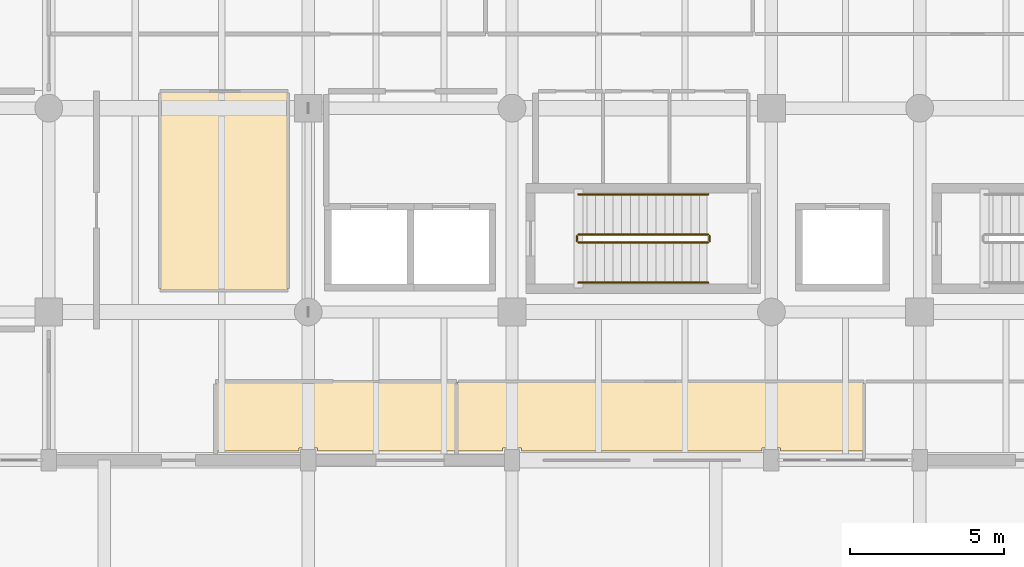
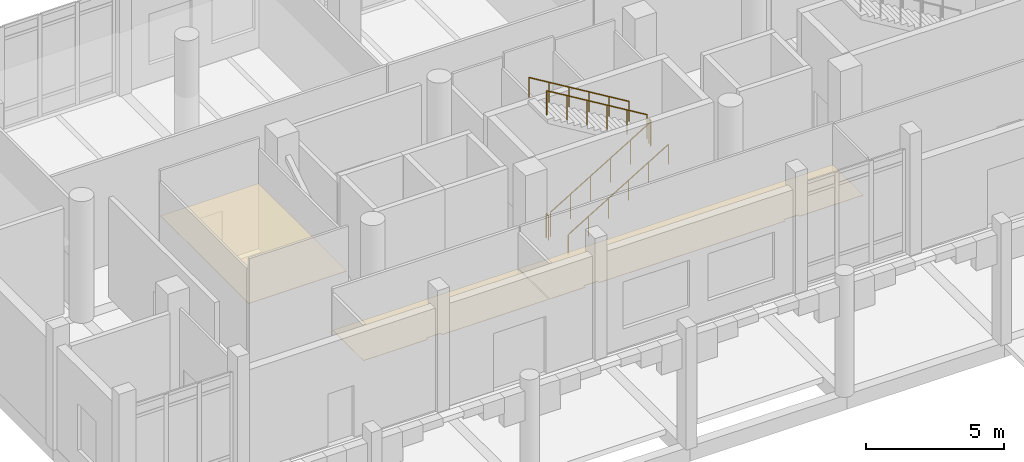
# One storey, part 64 of 72: 6 railings, 3 coverings.
"""IFC4 building model written with IfcOpenShell, lengths in metres."""

from ifc_helpers import new_model, si_unit, direction, frame, origin, origin_2d, place, context, subcontext, project, spatial, polyline, circle, outline, extrude, material, layer, layer_set, type_object, element, save


model = new_model("IFC4")

# Units and contexts
model_context = context("Model", 3, precision=1e-05, world=origin(), true_north=direction((0.0, 1.0)))
body_context = subcontext(model_context, "Body", "Model", "MODEL_VIEW")
ifc_project = project(units=[si_unit("LENGTHUNIT", "METRE"), si_unit("AREAUNIT", "SQUARE_METRE"), si_unit("VOLUMEUNIT", "CUBIC_METRE"), si_unit("PLANEANGLEUNIT", "RADIAN"), si_unit("MASSUNIT", "GRAM", prefix="KILO")], contexts=[model_context])

# Site, building, storey
site_placement = place(None, origin())
site = spatial("IfcSite", under=ifc_project, at=site_placement, CompositionType="ELEMENT")
building_placement = place(site_placement, origin())
building = spatial("IfcBuilding", under=site, at=building_placement, Name="Dornvale Research Institute", CompositionType="ELEMENT")
storey_placement = place(building_placement, origin())
storey = spatial("IfcBuildingStorey", under=building, at=storey_placement, Name="L00", CompositionType="ELEMENT", Elevation=0.0)

# Coverings
ifc_material_1 = material(Name="Mineral-Fibre Acoustic Lay-In Ceiling Tile System")
ifc_layer_1 = layer(ifc_material_1, 0.02001953125)
ifc_layer_set_1 = layer_set([ifc_layer_1], Name="Mineral-Fibre Acoustic Lay-In Ceiling Tile System")
covering_type = type_object("IfcCoveringType", Name="Covering_Acoustic_Ceiling", PredefinedType="CEILING", material=ifc_layer_set_1)
covering_1_placement = place(storey_placement, frame((0.0, 0.0, 2.85009765625)))
element("IfcCovering", 1, at=covering_1_placement, inside=storey, type_object=covering_type, Name="L00 Campus Security and Operations Office suspended ceiling", PredefinedType="CEILING", context=body_context, shape_type="SweptSolid", body=[
    extrude(outline(polyline([(8.419921875, 104.52001953125), (8.419921875, 110.929931640625), (12.530029296875, 110.929931640625), (12.530029296875, 104.52001953125), (8.419921875, 104.52001953125)])), origin(), (0.0, 0.0, 1.0), 0.02001953125),
])
covering_2_placement = place(storey_placement, frame((0.0, 0.0, 2.85009765625)))
element("IfcCovering", 2, at=covering_2_placement, inside=storey, type_object=covering_type, Name="L00 Institute Fellows Reading Room suspended ceiling", PredefinedType="CEILING", context=body_context, shape_type="SweptSolid", body=[
    extrude(outline(polyline([(10.219970703125, 99.300048828125), (10.219970703125, 101.530029296875), (17.97998046875, 101.530029296875), (17.97998046875, 99.300048828125), (13.5, 99.300048828125), (13.5, 99.39990234375), (12.89990234375, 99.39990234375), (12.89990234375, 99.300048828125), (10.219970703125, 99.300048828125)])), origin(), (0.0, 0.0, 1.0), 0.02001953125),
])
covering_3_placement = place(storey_placement, frame((0.0, 0.0, 2.85009765625)))
element("IfcCovering", 3, at=covering_3_placement, inside=storey, type_object=covering_type, Name="L00 Academic Administration Office suspended ceiling", PredefinedType="CEILING", context=body_context, shape_type="SweptSolid", body=[
    extrude(outline(polyline([(18.02001953125, 99.300048828125), (18.02001953125, 101.530029296875), (31.179931640625, 101.530029296875), (31.179931640625, 99.300048828125), (28.5, 99.300048828125), (28.5, 99.39990234375), (27.89990234375, 99.39990234375), (27.89990234375, 99.300048828125), (20.10009765625, 99.300048828125), (20.10009765625, 99.39990234375), (19.5, 99.39990234375), (19.5, 99.300048828125), (18.02001953125, 99.300048828125)])), origin(), (0.0, 0.0, 1.0), 0.02001953125),
])

# Railings
ifc_material_2 = material(Name="Galvanized Painted Tubular Steel Stair Rail", Category="steel")
ifc_layer_2 = layer(ifc_material_2, 0.050048828125)
ifc_layer_set_2 = layer_set([ifc_layer_2], Name="Galvanized Painted Tubular Steel Stair Rail")
railing_type_1 = type_object("IfcRailingType", Name="Railing_Stair_Guard_1100", PredefinedType="GUARDRAIL", material=ifc_layer_set_2)
railing_1_placement = place(storey_placement, frame((21.949951171875, 106.050048828125, 0.168701171875)))
element("IfcRailing", 4, at=railing_1_placement, inside=storey, type_object=railing_type_1, Name="L00 ST-1 stair guard 1", PredefinedType="GUARDRAIL", context=body_context, shape_type="SweptSolid", body=[
    extrude(circle(Radius=0.02392578125, at=origin_2d()), frame((0.0, 0.0, 1.076171875), z_axis=(0.856476492594, 0.0, 0.516186030065), x_axis=(0.0, 1.0, 0.0)), (0.0, 0.0, 1.0), 4.90380859375),
    extrude(circle(Radius=0.02099609375, at=origin_2d()), origin(), (0.0, 0.0, 1.0), 1.052001953125),
    extrude(circle(Radius=0.02099609375, at=origin_2d()), frame((0.840087890625, 0.0, 0.50634765625)), (0.0, 0.0, 1.0), 1.052001953125),
    extrude(circle(Radius=0.02099609375, at=origin_2d()), frame((1.679931640625, 0.0, 1.012451171875)), (0.0, 0.0, 1.0), 1.052001953125),
    extrude(circle(Radius=0.02099609375, at=origin_2d()), frame((2.52001953125, 0.0, 1.518798828125)), (0.0, 0.0, 1.0), 1.052001953125),
    extrude(circle(Radius=0.02099609375, at=origin_2d()), frame((3.35986328125, 0.0, 2.02490234375)), (0.0, 0.0, 1.0), 1.052001953125),
    extrude(circle(Radius=0.02099609375, at=origin_2d()), frame((4.199951171875, 0.0, 2.53125)), (0.0, 0.0, 1.0), 1.052001953125),
])
railing_2_placement = place(storey_placement, frame((26.199951171875, 106.10009765625, 2.699951171875)))
element("IfcRailing", 5, at=railing_2_placement, inside=storey, type_object=railing_type_1, Name="L00 ST-1 stair guard 2", PredefinedType="GUARDRAIL", context=body_context, shape_type="SweptSolid", body=[
    extrude(circle(Radius=0.02392578125, at=origin_2d()), frame((0.0, 0.0, 1.076171875), z_axis=(0.0, 1.0, 0.0), x_axis=(-1.0, 0.0, 0.0)), (0.0, 0.0, 1.0), 0.159912109375),
    extrude(circle(Radius=0.02099609375, at=origin_2d()), origin(), (0.0, 0.0, 1.0), 1.052001953125),
    extrude(circle(Radius=0.02099609375, at=origin_2d()), frame((0.0, 0.159912109375, 0.0)), (0.0, 0.0, 1.0), 1.052001953125),
])
railing_3_placement = place(storey_placement, frame((26.14990234375, 106.31005859375, 2.86865234375)))
element("IfcRailing", 6, at=railing_3_placement, inside=storey, type_object=railing_type_1, Name="L00 ST-1 stair guard 3", PredefinedType="GUARDRAIL", context=body_context, shape_type="SweptSolid", body=[
    extrude(circle(Radius=0.02392578125, at=origin_2d()), frame((0.0, 0.0, 1.076171875), z_axis=(-0.856476492594, 0.0, 0.516186030065), x_axis=(0.0, -1.0, 0.0)), (0.0, 0.0, 1.0), 4.90380859375),
    extrude(circle(Radius=0.02099609375, at=origin_2d()), origin(), (0.0, 0.0, 1.0), 1.052001953125),
    extrude(circle(Radius=0.02099609375, at=origin_2d()), frame((-0.840087890625, 0.0, 0.50634765625)), (0.0, 0.0, 1.0), 1.052001953125),
    extrude(circle(Radius=0.02099609375, at=origin_2d()), frame((-1.679931640625, 0.0, 1.012451171875)), (0.0, 0.0, 1.0), 1.052001953125),
    extrude(circle(Radius=0.02099609375, at=origin_2d()), frame((-2.52001953125, 0.0, 1.518798828125)), (0.0, 0.0, 1.0), 1.052001953125),
    extrude(circle(Radius=0.02099609375, at=origin_2d()), frame((-3.35986328125, 0.0, 2.02490234375)), (0.0, 0.0, 1.0), 1.052001953125),
    extrude(circle(Radius=0.02099609375, at=origin_2d()), frame((-4.199951171875, 0.0, 2.53125)), (0.0, 0.0, 1.0), 1.052001953125),
])
railing_4_placement = place(storey_placement, frame((21.89990234375, 106.10009765625, 0.0)))
element("IfcRailing", 7, at=railing_4_placement, inside=storey, type_object=railing_type_1, Name="L00 ST-1 stair guard 4", PredefinedType="GUARDRAIL", context=body_context, shape_type="SweptSolid", body=[
    extrude(circle(Radius=0.02392578125, at=origin_2d()), frame((0.0, 0.0, 1.076171875), z_axis=(0.0, 1.0, 0.0), x_axis=(-1.0, 0.0, 0.0)), (0.0, 0.0, 1.0), 0.159912109375),
    extrude(circle(Radius=0.02099609375, at=origin_2d()), origin(), (0.0, 0.0, 1.0), 1.052001953125),
    extrude(circle(Radius=0.02099609375, at=origin_2d()), frame((0.0, 0.159912109375, 0.0)), (0.0, 0.0, 1.0), 1.052001953125),
])
ifc_material_3 = material(Name="Galvanized Painted Tubular Steel Stair Rail", Category="steel")
ifc_layer_3 = layer(ifc_material_3, 0.044921875)
ifc_layer_set_3 = layer_set([ifc_layer_3], Name="Galvanized Painted Tubular Steel Stair Rail")
railing_type_2 = type_object("IfcRailingType", Name="Railing_Stair_Handrail_900", PredefinedType="HANDRAIL", material=ifc_layer_set_3)
railing_5_placement = place(storey_placement, frame((21.949951171875, 104.75, 0.168701171875)))
element("IfcRailing", 8, at=railing_5_placement, inside=storey, type_object=railing_type_2, Name="L00 ST-1 stair handrail 1", PredefinedType="HANDRAIL", context=body_context, shape_type="SweptSolid", body=[
    extrude(circle(Radius=0.02392578125, at=origin_2d()), frame((0.0, 0.0, 0.8759765625), z_axis=(0.856476492594, 0.0, 0.516186030065), x_axis=(0.0, 1.0, 0.0)), (0.0, 0.0, 1.0), 4.90380859375),
    extrude(circle(Radius=0.02099609375, at=origin_2d()), origin(), (0.0, 0.0, 1.0), 0.851806640625),
    extrude(circle(Radius=0.02099609375, at=origin_2d()), frame((0.840087890625, 0.0, 0.50634765625)), (0.0, 0.0, 1.0), 0.851806640625),
    extrude(circle(Radius=0.02099609375, at=origin_2d()), frame((1.679931640625, 0.0, 1.012451171875)), (0.0, 0.0, 1.0), 0.851806640625),
    extrude(circle(Radius=0.02099609375, at=origin_2d()), frame((2.52001953125, 0.0, 1.518798828125)), (0.0, 0.0, 1.0), 0.851806640625),
    extrude(circle(Radius=0.02099609375, at=origin_2d()), frame((3.35986328125, 0.0, 2.02490234375)), (0.0, 0.0, 1.0), 0.851806640625),
    extrude(circle(Radius=0.02099609375, at=origin_2d()), frame((4.199951171875, 0.0, 2.53125)), (0.0, 0.0, 1.0), 0.851806640625),
])
railing_6_placement = place(storey_placement, frame((26.14990234375, 107.610107421875, 2.86865234375)))
element("IfcRailing", 9, at=railing_6_placement, inside=storey, type_object=railing_type_2, Name="L00 ST-1 stair handrail 2", PredefinedType="HANDRAIL", context=body_context, shape_type="SweptSolid", body=[
    extrude(circle(Radius=0.02392578125, at=origin_2d()), frame((0.0, 0.0, 0.8759765625), z_axis=(-0.856476492594, 0.0, 0.516186030065), x_axis=(0.0, -1.0, 0.0)), (0.0, 0.0, 1.0), 4.90380859375),
    extrude(circle(Radius=0.02099609375, at=origin_2d()), origin(), (0.0, 0.0, 1.0), 0.851806640625),
    extrude(circle(Radius=0.02099609375, at=origin_2d()), frame((-0.840087890625, 0.0, 0.50634765625)), (0.0, 0.0, 1.0), 0.851806640625),
    extrude(circle(Radius=0.02099609375, at=origin_2d()), frame((-1.679931640625, 0.0, 1.012451171875)), (0.0, 0.0, 1.0), 0.851806640625),
    extrude(circle(Radius=0.02099609375, at=origin_2d()), frame((-2.52001953125, 0.0, 1.518798828125)), (0.0, 0.0, 1.0), 0.851806640625),
    extrude(circle(Radius=0.02099609375, at=origin_2d()), frame((-3.35986328125, 0.0, 2.02490234375)), (0.0, 0.0, 1.0), 0.851806640625),
    extrude(circle(Radius=0.02099609375, at=origin_2d()), frame((-4.199951171875, 0.0, 2.53125)), (0.0, 0.0, 1.0), 0.851806640625),
])

save(model, "model.ifc")
